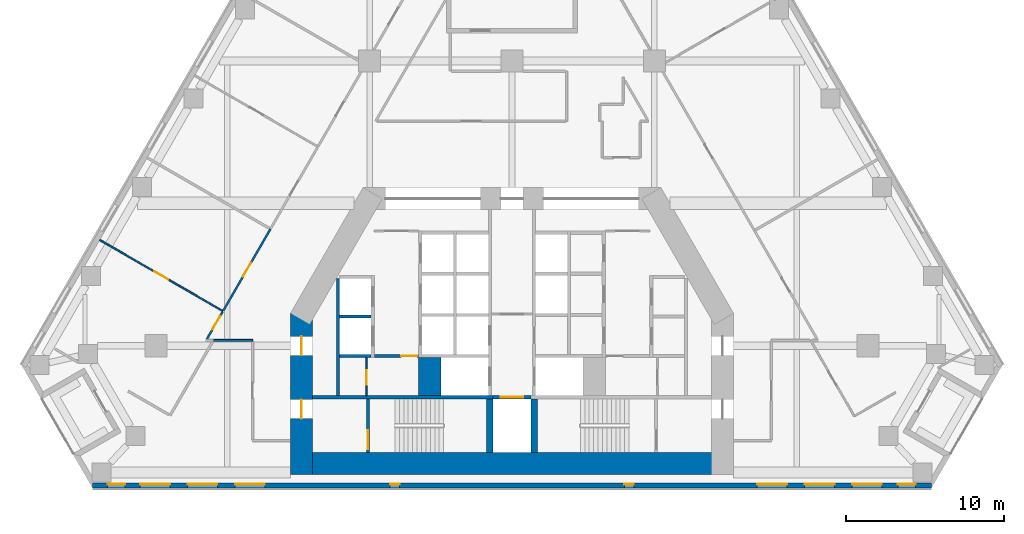
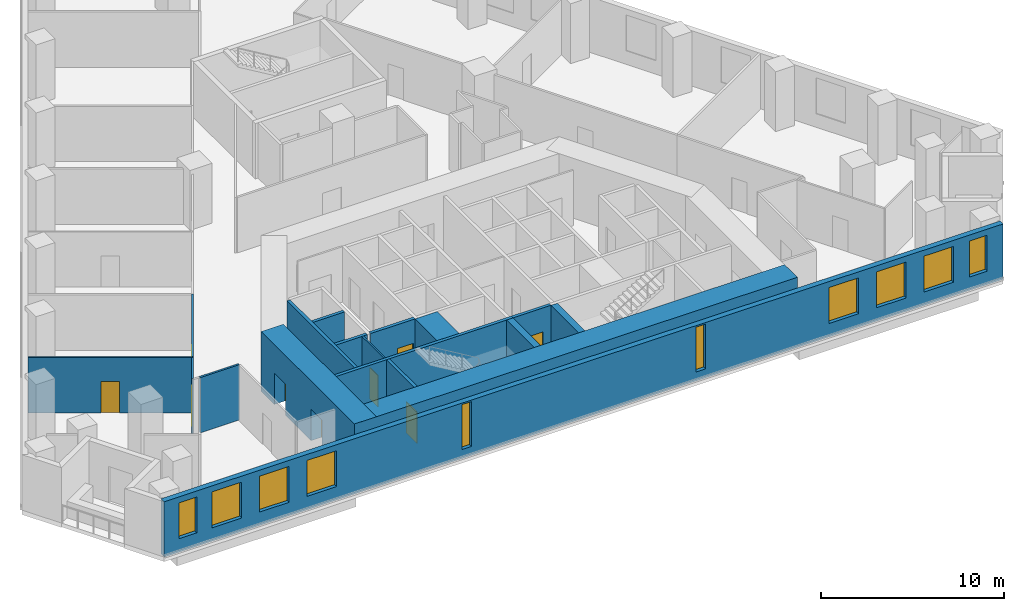
# One storey, part 3 of 9: 18 walls, 10 windows, 9 doors, 19 openings.
"""IFC4 building model written with IfcOpenShell, lengths in metres."""

from ifc_helpers import new_model, si_unit, direction, frame, frame_2d, origin, place, context, subcontext, project, spatial, rectangle, extrude, material, layer, layer_set, type_object, element, fill, save


model = new_model("IFC4")

# Units and contexts
model_context = context("Model", 3, precision=1e-05, world=origin(), true_north=direction((0.0, 1.0)))
body_context = subcontext(model_context, "Body", "Model", "MODEL_VIEW")
ifc_project = project(units=[si_unit("LENGTHUNIT", "METRE"), si_unit("AREAUNIT", "SQUARE_METRE"), si_unit("VOLUMEUNIT", "CUBIC_METRE"), si_unit("PLANEANGLEUNIT", "RADIAN"), si_unit("MASSUNIT", "GRAM", prefix="KILO")], contexts=[model_context])

# Site, building, storey
site_placement = place(None, origin())
site = spatial("IfcSite", under=ifc_project, at=site_placement, CompositionType="ELEMENT")
building_placement = place(site_placement, origin())
building = spatial("IfcBuilding", under=site, at=building_placement, Name="Fogline Exchange Tower", CompositionType="ELEMENT")
storey_placement = place(building_placement, frame((0.0, 0.0, 80.89990234375)))
storey = spatial("IfcBuildingStorey", under=building, at=storey_placement, Name="L17", CompositionType="ELEMENT", Elevation=80.89990234375)

# Wall, opening, door
ifc_material_1 = material(Name="Blockwork partition", Category="masonry")
ifc_layer_1 = layer(ifc_material_1, 0.10009765625)
ifc_layer_set_1 = layer_set([ifc_layer_1], Name="CW10")
wall_type_1 = type_object("IfcWallType", Name="CW10", PredefinedType="PARTITIONING", material=ifc_layer_set_1)
wall_1_placement = place(storey_placement, frame((-9.199951171875, 5.85009765625, 0.0), z_axis=(0.0, 0.0, 1.0), x_axis=(0.0, 1.0, 0.0)))
wall_1 = element("IfcWall", 1, at=wall_1_placement, inside=storey, type_object=wall_type_1, Name="WC partition", PredefinedType="PARTITIONING", context=body_context, shape_type="SweptSolid", body=[
    extrude(rectangle(XDim=2.39990234375, YDim=0.10009765625, at=frame_2d((1.199951171875, 0.0))), origin(), (0.0, 0.0, 1.0), 3.7001953125),
])
opening_1_placement = place(wall_1_placement, frame((0.699951171875, 0.0, 0.0)))
opening_1 = element("IfcOpeningElement", 2, at=opening_1_placement, cuts=wall_1, Name="Opening T05-C009", PredefinedType="OPENING", context=body_context, shape_type="SweptSolid", body=[
    extrude(rectangle(XDim=0.89990234375, YDim=2.10009765625, at=frame_2d((0.449951171875, 1.050048828125))), frame((0.0, 0.06005859375, 0.0), z_axis=(0.0, -1.0, 0.0), x_axis=(1.0, 0.0, 0.0)), (0.0, 0.0, 1.0), 0.1201171875),
])
ifc_material_2 = material(Name="Steel and timber fire door", Category="steel")
door_type_1 = type_object("IfcDoorType", Name="D-CS1", OperationType="SINGLE_SWING_RIGHT", PredefinedType="DOOR", material=ifc_material_2)
door_1_placement = place(opening_1_placement, origin())
door_1 = element("IfcDoor", 3, at=door_1_placement, inside=storey, type_object=door_type_1, Name="Door to Cleaner's Store", OperationType="SINGLE_SWING_LEFT", OverallHeight=2.10009765625, OverallWidth=0.89990234375, PredefinedType="DOOR", context=body_context, shape_type="SweptSolid", body=[
    extrude(rectangle(XDim=0.89990234375, YDim=2.10009765625, at=frame_2d((0.449951171875, 1.050048828125))), frame((0.0, 0.02490234375, 0.0), z_axis=(0.0, -1.0, 0.0), x_axis=(1.0, 0.0, 0.0)), (0.0, 0.0, 1.0), 0.050048828125),
])
fill(opening_1, door_1)

# Walls
ifc_material_3 = material(Name="Concrete C60", Category="concrete")
ifc_layer_2 = layer(ifc_material_3, 1.39990234375)
ifc_layer_set_2 = layer_set([ifc_layer_2], Name="CW140")
wall_type_2 = type_object("IfcWallType", Name="CW140", PredefinedType="SOLIDWALL", material=ifc_layer_set_2)
wall_2_placement = place(storey_placement, frame((-5.199951171875, 5.85009765625, -0.2998046875), z_axis=(0.0, 0.0, 1.0), x_axis=(0.0, 1.0, 0.0)))
element("IfcWall", 4, at=wall_2_placement, inside=storey, type_object=wall_type_2, Name="Lift shaft block wall", PredefinedType="SOLIDWALL", context=body_context, shape_type="SweptSolid", body=[
    extrude(rectangle(XDim=2.39990234375, YDim=1.39990234375, at=frame_2d((1.199951171875, 0.0))), origin(), (0.0, 0.0, 1.0), 4.0),
])
ifc_material_4 = material(Name="Concrete C40", Category="concrete")
ifc_layer_3 = layer(ifc_material_4, 0.199951171875)
ifc_layer_set_3 = layer_set([ifc_layer_3], Name="CW20")
wall_type_3 = type_object("IfcWallType", Name="CW20", PredefinedType="SOLIDWALL", material=ifc_layer_set_3)
wall_3_placement = place(storey_placement, frame((-11.0, 5.85009765625, 0.0), z_axis=(0.0, 0.0, 1.0), x_axis=(0.0, 1.0, 0.0)))
element("IfcWall", 5, at=wall_3_placement, inside=storey, type_object=wall_type_3, Name="Service room wall", PredefinedType="SOLIDWALL", context=body_context, shape_type="SweptSolid", body=[
    extrude(rectangle(XDim=7.39990234375, YDim=0.199951171875, at=frame_2d((3.699951171875, 0.0))), origin(), (0.0, 0.0, 1.0), 3.7001953125),
])

# Wall, opening, door
wall_4_placement = place(storey_placement, frame((-8.699951171875, 8.35009765625, 0.0), z_axis=(0.0, 0.0, 1.0), x_axis=(1.0, 0.0, 0.0)))
wall_4 = element("IfcWall", 6, at=wall_4_placement, inside=storey, type_object=wall_type_3, Name="WC wall", PredefinedType="SOLIDWALL", context=body_context, shape_type="SweptSolid", body=[
    extrude(rectangle(XDim=2.800048828125, YDim=0.199951171875, at=frame_2d((1.39990234375, 0.0))), origin(), (0.0, 0.0, 1.0), 3.7001953125),
])
opening_2_placement = place(wall_4_placement, frame((1.699951171875, 0.0, 0.0)))
opening_2 = element("IfcOpeningElement", 7, at=opening_2_placement, cuts=wall_4, Name="Opening T05-C008", PredefinedType="OPENING", context=body_context, shape_type="SweptSolid", body=[
    extrude(rectangle(XDim=1.0, YDim=2.10009765625, at=frame_2d((0.5, 1.050048828125))), frame((0.0, 0.10986328125, 0.0), z_axis=(0.0, -1.0, 0.0), x_axis=(1.0, 0.0, 0.0)), (0.0, 0.0, 1.0), 0.219970703125),
])
door_type_2 = type_object("IfcDoorType", Name="D-WC1", OperationType="SINGLE_SWING_LEFT", PredefinedType="DOOR", material=ifc_material_2)
door_2_placement = place(opening_2_placement, frame((1.0, 0.0, 0.0), z_axis=(0.0, 0.0, 1.0), x_axis=(-1.0, 0.0, 0.0)))
door_2 = element("IfcDoor", 8, at=door_2_placement, inside=storey, type_object=door_type_2, Name="Door to Men's WC", OperationType="SINGLE_SWING_LEFT", OverallHeight=2.10009765625, OverallWidth=1.0, PredefinedType="DOOR", context=body_context, shape_type="SweptSolid", body=[
    extrude(rectangle(XDim=1.0, YDim=2.10009765625, at=frame_2d((0.5, 1.050048828125))), frame((0.0, 0.02490234375, 0.0), z_axis=(0.0, -1.0, 0.0), x_axis=(1.0, 0.0, 0.0)), (0.0, 0.0, 1.0), 0.050048828125),
])
fill(opening_2, door_2)

# Wall
ifc_layer_4 = layer(ifc_material_4, 0.199951171875)
ifc_layer_set_4 = layer_set([ifc_layer_4], Name="CW20R")
wall_type_4 = type_object("IfcWallType", Name="CW20R", PredefinedType="SOLIDWALL", material=ifc_layer_set_4)
wall_5_placement = place(storey_placement, frame((-12.60009765625, 5.75, -0.2998046875), z_axis=(0.0, 0.0, 1.0), x_axis=(1.0, 0.0, 0.0)))
element("IfcWall", 9, at=wall_5_placement, inside=storey, type_object=wall_type_4, Name="Stair enclosure wall", PredefinedType="SOLIDWALL", context=body_context, shape_type="SweptSolid", body=[
    extrude(rectangle(XDim=11.400146484375, YDim=0.199951171875, at=frame_2d((5.7001953125, 0.0))), origin(), (0.0, 0.0, 1.0), 4.0),
])

# Wall, opening, door
wall_6_placement = place(storey_placement, frame((-1.199951171875, 5.75, -0.2998046875), z_axis=(0.0, 0.0, 1.0), x_axis=(1.0, 0.0, 0.0)))
wall_6 = element("IfcWall", 10, at=wall_6_placement, inside=storey, type_object=wall_type_4, Name="Stair enclosure wall", PredefinedType="SOLIDWALL", context=body_context, shape_type="SweptSolid", body=[
    extrude(rectangle(XDim=2.39990234375, YDim=0.199951171875, at=frame_2d((1.199951171875, 0.0))), origin(), (0.0, 0.0, 1.0), 4.0),
])
opening_3_placement = place(wall_6_placement, frame((0.5, 0.0, 0.300048828125)))
opening_3 = element("IfcOpeningElement", 11, at=opening_3_placement, cuts=wall_6, Name="Opening T05-LD09", PredefinedType="OPENING", context=body_context, shape_type="SweptSolid", body=[
    extrude(rectangle(XDim=1.39990234375, YDim=2.10009765625, at=frame_2d((0.699951171875, 1.050048828125))), frame((0.0, 0.10986328125, 0.0), z_axis=(0.0, -1.0, 0.0), x_axis=(1.0, 0.0, 0.0)), (0.0, 0.0, 1.0), 0.219970703125),
])
door_type_3 = type_object("IfcDoorType", Name="LD3", OperationType="SLIDING_TO_LEFT", PredefinedType="DOOR", material=ifc_material_2)
door_3_placement = place(opening_3_placement, origin())
door_3 = element("IfcDoor", 12, at=door_3_placement, inside=storey, type_object=door_type_3, Name="Landing door GL1", OperationType="SLIDING_TO_LEFT", OverallHeight=2.10009765625, OverallWidth=1.39990234375, PredefinedType="DOOR", context=body_context, shape_type="SweptSolid", body=[
    extrude(rectangle(XDim=1.39990234375, YDim=2.10009765625, at=frame_2d((0.699951171875, 1.050048828125))), frame((0.0, 0.02490234375, 0.0), z_axis=(0.0, -1.0, 0.0), x_axis=(1.0, 0.0, 0.0)), (0.0, 0.0, 1.0), 0.050048828125),
])
fill(opening_3, door_3)

wall_7_placement = place(storey_placement, frame((-9.10009765625, 2.25, -0.2998046875), z_axis=(0.0, 0.0, 1.0), x_axis=(0.0, 1.0, 0.0)))
wall_7 = element("IfcWall", 13, at=wall_7_placement, inside=storey, type_object=wall_type_4, Name="Stair enclosure wall", PredefinedType="SOLIDWALL", context=body_context, shape_type="SweptSolid", body=[
    extrude(rectangle(XDim=3.39990234375, YDim=0.199951171875, at=frame_2d((1.699951171875, 0.0))), origin(), (0.0, 0.0, 1.0), 4.0),
])
opening_4_placement = place(wall_7_placement, frame((0.199951171875, 0.0, 0.300048828125)))
opening_4 = element("IfcOpeningElement", 14, at=opening_4_placement, cuts=wall_7, Name="Opening T05-C011", PredefinedType="OPENING", context=body_context, shape_type="SweptSolid", body=[
    extrude(rectangle(XDim=1.199951171875, YDim=2.10009765625, at=frame_2d((0.60009765625, 1.050048828125))), frame((0.0, 0.10986328125, 0.0), z_axis=(0.0, -1.0, 0.0), x_axis=(1.0, 0.0, 0.0)), (0.0, 0.0, 1.0), 0.219970703125),
])
door_type_4 = type_object("IfcDoorType", Name="D-ST1", OperationType="SINGLE_SWING_LEFT", PredefinedType="DOOR", material=ifc_material_2)
door_4_placement = place(opening_4_placement, frame((1.199951171875, 0.0, 0.0), z_axis=(0.0, 0.0, 1.0), x_axis=(-1.0, 0.0, 0.0)))
door_4 = element("IfcDoor", 15, at=door_4_placement, inside=storey, type_object=door_type_4, Name="Stair door ST1", OperationType="SINGLE_SWING_RIGHT", OverallHeight=2.10009765625, OverallWidth=1.199951171875, PredefinedType="DOOR", context=body_context, shape_type="SweptSolid", body=[
    extrude(rectangle(XDim=1.199951171875, YDim=2.10009765625, at=frame_2d((0.60009765625, 1.050048828125))), frame((0.0, 0.02490234375, 0.0), z_axis=(0.0, -1.0, 0.0), x_axis=(1.0, 0.0, 0.0)), (0.0, 0.0, 1.0), 0.050048828125),
])
fill(opening_4, door_4)

# Walls
ifc_layer_5 = layer(ifc_material_4, 0.199951171875)
ifc_layer_set_5 = layer_set([ifc_layer_5], Name="CW20S")
wall_type_5 = type_object("IfcWallType", Name="CW20S", PredefinedType="SOLIDWALL", material=ifc_layer_set_5)
for number, where, z_axis, x_axis, name in (
    (16, (-10.89990234375, 8.35009765625, -0.2998046875), (0.0, 0.0, 1.0), (1.0, 0.0, 0.0), "Lift shaft wall"),
    (17, (-10.89990234375, 10.85009765625, -0.2998046875), (0.0, 0.0, 1.0), (1.0, 0.0, 0.0), "Lift shaft wall"),
):
    element("IfcWall", number, at=place(storey_placement, frame(where, z_axis=z_axis, x_axis=x_axis)), inside=storey, type_object=wall_type_5, Name=name, PredefinedType="SOLIDWALL", context=body_context, shape_type="SweptSolid", body=[
        extrude(rectangle(XDim=2.0, YDim=0.199951171875, at=frame_2d((1.0, 0.0))), origin(), (0.0, 0.0, 1.0), 4.0),
    ])
ifc_layer_6 = layer(ifc_material_4, 0.39990234375)
ifc_layer_set_6 = layer_set([ifc_layer_6], Name="CW40R")
wall_type_6 = type_object("IfcWallType", Name="CW40R", PredefinedType="SOLIDWALL", material=ifc_layer_set_6)
for number, where, z_axis, x_axis, name in (
    (18, (-1.39990234375, 2.25, -0.2998046875), (0.0, 0.0, 1.0), (0.0, 1.0, 0.0), "Stair and lift shaft wall"),
    (19, (1.39990234375, 2.25, -0.2998046875), (0.0, 0.0, 1.0), (0.0, 1.0, 0.0), "Stair and lift shaft wall"),
):
    element("IfcWall", number, at=place(storey_placement, frame(where, z_axis=z_axis, x_axis=x_axis)), inside=storey, type_object=wall_type_6, Name=name, PredefinedType="SOLIDWALL", context=body_context, shape_type="SweptSolid", body=[
        extrude(rectangle(XDim=3.39990234375, YDim=0.39990234375, at=frame_2d((1.699951171875, 0.0))), origin(), (0.0, 0.0, 1.0), 4.0),
    ])

# Wall, openings, windows
ifc_material_5 = material(Name="Brick masonry", Category="masonry")
ifc_layer_7 = layer(ifc_material_5, 0.340087890625)
ifc_layer_set_7 = layer_set([ifc_layer_7], Name="FW1")
wall_type_7 = type_object("IfcWallType", Name="FW1", PredefinedType="SOLIDWALL", material=ifc_layer_set_7)
wall_8_placement = place(storey_placement, frame((-26.510498046875, 0.169921875, 0.0), z_axis=(0.0, 0.0, 1.0), x_axis=(1.0, 0.0, 0.0)))
wall_8 = element("IfcWall", 20, at=wall_8_placement, inside=storey, type_object=wall_type_7, Name="Brick wall L17 S", PredefinedType="SOLIDWALL", context=body_context, shape_type="SweptSolid", body=[
    extrude(rectangle(XDim=53.02099609375, YDim=0.340087890625, at=frame_2d((26.510498046875, 0.0))), origin(), (0.0, 0.0, 1.0), 3.7001953125),
])
opening_5_placement = place(wall_8_placement, frame((3.010498046875, 0.0, 0.89990234375)))
opening_5 = element("IfcOpeningElement", 21, at=opening_5_placement, cuts=wall_8, Name="Opening W1", PredefinedType="OPENING", context=body_context, shape_type="SweptSolid", body=[
    extrude(rectangle(XDim=1.885009765625, YDim=2.39990234375, at=frame_2d((0.9423828125, 1.199951171875))), frame((0.0, 0.18017578125, 0.0), z_axis=(0.0, -1.0, 0.0), x_axis=(1.0, 0.0, 0.0)), (0.0, 0.0, 1.0), 0.360107421875),
])
opening_6_placement = place(wall_8_placement, frame((6.010498046875, 0.0, 0.89990234375)))
opening_6 = element("IfcOpeningElement", 22, at=opening_6_placement, cuts=wall_8, Name="Opening W1", PredefinedType="OPENING", context=body_context, shape_type="SweptSolid", body=[
    extrude(rectangle(XDim=1.885009765625, YDim=2.39990234375, at=frame_2d((0.9423828125, 1.199951171875))), frame((0.0, 0.18017578125, 0.0), z_axis=(0.0, -1.0, 0.0), x_axis=(1.0, 0.0, 0.0)), (0.0, 0.0, 1.0), 0.360107421875),
])
opening_7_placement = place(wall_8_placement, frame((9.010498046875, 0.0, 0.89990234375)))
opening_7 = element("IfcOpeningElement", 23, at=opening_7_placement, cuts=wall_8, Name="Opening W1", PredefinedType="OPENING", context=body_context, shape_type="SweptSolid", body=[
    extrude(rectangle(XDim=1.885009765625, YDim=2.39990234375, at=frame_2d((0.9423828125, 1.199951171875))), frame((0.0, 0.18017578125, 0.0), z_axis=(0.0, -1.0, 0.0), x_axis=(1.0, 0.0, 0.0)), (0.0, 0.0, 1.0), 0.360107421875),
])
opening_8_placement = place(wall_8_placement, frame((42.010498046875, 0.0, 0.89990234375)))
opening_8 = element("IfcOpeningElement", 24, at=opening_8_placement, cuts=wall_8, Name="Opening W1", PredefinedType="OPENING", context=body_context, shape_type="SweptSolid", body=[
    extrude(rectangle(XDim=1.885009765625, YDim=2.39990234375, at=frame_2d((0.9423828125, 1.199951171875))), frame((0.0, 0.18017578125, 0.0), z_axis=(0.0, -1.0, 0.0), x_axis=(1.0, 0.0, 0.0)), (0.0, 0.0, 1.0), 0.360107421875),
])
opening_9_placement = place(wall_8_placement, frame((45.010498046875, 0.0, 0.89990234375)))
opening_9 = element("IfcOpeningElement", 25, at=opening_9_placement, cuts=wall_8, Name="Opening W1", PredefinedType="OPENING", context=body_context, shape_type="SweptSolid", body=[
    extrude(rectangle(XDim=1.885009765625, YDim=2.39990234375, at=frame_2d((0.9423828125, 1.199951171875))), frame((0.0, 0.18017578125, 0.0), z_axis=(0.0, -1.0, 0.0), x_axis=(1.0, 0.0, 0.0)), (0.0, 0.0, 1.0), 0.360107421875),
])
opening_10_placement = place(wall_8_placement, frame((48.010498046875, 0.0, 0.89990234375)))
opening_10 = element("IfcOpeningElement", 26, at=opening_10_placement, cuts=wall_8, Name="Opening W1", PredefinedType="OPENING", context=body_context, shape_type="SweptSolid", body=[
    extrude(rectangle(XDim=1.885009765625, YDim=2.39990234375, at=frame_2d((0.9423828125, 1.199951171875))), frame((0.0, 0.18017578125, 0.0), z_axis=(0.0, -1.0, 0.0), x_axis=(1.0, 0.0, 0.0)), (0.0, 0.0, 1.0), 0.360107421875),
])
opening_11_placement = place(wall_8_placement, frame((0.94775390625, 0.0, 0.89990234375)))
opening_11 = element("IfcOpeningElement", 27, at=opening_11_placement, cuts=wall_8, Name="Opening W4", PredefinedType="OPENING", context=body_context, shape_type="SweptSolid", body=[
    extrude(rectangle(XDim=1.114990234375, YDim=2.39990234375, at=frame_2d((0.5576171875, 1.199951171875))), frame((0.0, 0.18017578125, 0.0), z_axis=(0.0, -1.0, 0.0), x_axis=(1.0, 0.0, 0.0)), (0.0, 0.0, 1.0), 0.360107421875),
])
opening_12_placement = place(wall_8_placement, frame((50.900634765625, 0.0, 0.89990234375)))
opening_12 = element("IfcOpeningElement", 28, at=opening_12_placement, cuts=wall_8, Name="Opening W4", PredefinedType="OPENING", context=body_context, shape_type="SweptSolid", body=[
    extrude(rectangle(XDim=1.114990234375, YDim=2.39990234375, at=frame_2d((0.5576171875, 1.199951171875))), frame((0.0, 0.18017578125, 0.0), z_axis=(0.0, -1.0, 0.0), x_axis=(1.0, 0.0, 0.0)), (0.0, 0.0, 1.0), 0.360107421875),
])
opening_13_placement = place(wall_8_placement, frame((18.810546875, 0.0, 0.60009765625)))
opening_13 = element("IfcOpeningElement", 29, at=opening_13_placement, cuts=wall_8, Name="Opening W5", PredefinedType="OPENING", context=body_context, shape_type="SweptSolid", body=[
    extrude(rectangle(XDim=0.60009765625, YDim=3.0, at=frame_2d((0.300048828125, 1.5))), frame((0.0, 0.18017578125, 0.0), z_axis=(0.0, -1.0, 0.0), x_axis=(1.0, 0.0, 0.0)), (0.0, 0.0, 1.0), 0.360107421875),
])
opening_14_placement = place(wall_8_placement, frame((33.6103515625, 0.0, 0.60009765625)))
opening_14 = element("IfcOpeningElement", 30, at=opening_14_placement, cuts=wall_8, Name="Opening W5", PredefinedType="OPENING", context=body_context, shape_type="SweptSolid", body=[
    extrude(rectangle(XDim=0.60009765625, YDim=3.0, at=frame_2d((0.300048828125, 1.5))), frame((0.0, 0.18017578125, 0.0), z_axis=(0.0, -1.0, 0.0), x_axis=(1.0, 0.0, 0.0)), (0.0, 0.0, 1.0), 0.360107421875),
])
ifc_material_6 = material(Name="Aluminium and glass", Category="aluminium")
window_type_1 = type_object("IfcWindowType", Name="W1", PartitioningType="SINGLE_PANEL", PredefinedType="WINDOW", material=ifc_material_6)
window_1_placement = place(opening_5_placement, origin())
window_1 = element("IfcWindow", 31, at=window_1_placement, inside=storey, type_object=window_type_1, Name="W1 W1", OverallHeight=2.39990234375, OverallWidth=1.885009765625, PartitioningType="SINGLE_PANEL", PredefinedType="WINDOW", context=body_context, shape_type="SweptSolid", body=[
    extrude(rectangle(XDim=1.885009765625, YDim=2.39990234375, at=frame_2d((0.9423828125, 1.199951171875))), frame((0.0, 0.110107421875, 0.0), z_axis=(0.0, -1.0, 0.0), x_axis=(1.0, 0.0, 0.0)), (0.0, 0.0, 1.0), 0.06005859375),
])
fill(opening_5, window_1)
window_2_placement = place(opening_6_placement, origin())
window_2 = element("IfcWindow", 32, at=window_2_placement, inside=storey, type_object=window_type_1, Name="W1 W1", OverallHeight=2.39990234375, OverallWidth=1.885009765625, PartitioningType="SINGLE_PANEL", PredefinedType="WINDOW", context=body_context, shape_type="SweptSolid", body=[
    extrude(rectangle(XDim=1.885009765625, YDim=2.39990234375, at=frame_2d((0.9423828125, 1.199951171875))), frame((0.0, 0.110107421875, 0.0), z_axis=(0.0, -1.0, 0.0), x_axis=(1.0, 0.0, 0.0)), (0.0, 0.0, 1.0), 0.06005859375),
])
fill(opening_6, window_2)
window_3_placement = place(opening_7_placement, origin())
window_3 = element("IfcWindow", 33, at=window_3_placement, inside=storey, type_object=window_type_1, Name="W1 W1", OverallHeight=2.39990234375, OverallWidth=1.885009765625, PartitioningType="SINGLE_PANEL", PredefinedType="WINDOW", context=body_context, shape_type="SweptSolid", body=[
    extrude(rectangle(XDim=1.885009765625, YDim=2.39990234375, at=frame_2d((0.9423828125, 1.199951171875))), frame((0.0, 0.110107421875, 0.0), z_axis=(0.0, -1.0, 0.0), x_axis=(1.0, 0.0, 0.0)), (0.0, 0.0, 1.0), 0.06005859375),
])
fill(opening_7, window_3)
window_4_placement = place(opening_8_placement, origin())
window_4 = element("IfcWindow", 34, at=window_4_placement, inside=storey, type_object=window_type_1, Name="W1 W1", OverallHeight=2.39990234375, OverallWidth=1.885009765625, PartitioningType="SINGLE_PANEL", PredefinedType="WINDOW", context=body_context, shape_type="SweptSolid", body=[
    extrude(rectangle(XDim=1.885009765625, YDim=2.39990234375, at=frame_2d((0.9423828125, 1.199951171875))), frame((0.0, 0.110107421875, 0.0), z_axis=(0.0, -1.0, 0.0), x_axis=(1.0, 0.0, 0.0)), (0.0, 0.0, 1.0), 0.06005859375),
])
fill(opening_8, window_4)
window_5_placement = place(opening_9_placement, origin())
window_5 = element("IfcWindow", 35, at=window_5_placement, inside=storey, type_object=window_type_1, Name="W1 W1", OverallHeight=2.39990234375, OverallWidth=1.885009765625, PartitioningType="SINGLE_PANEL", PredefinedType="WINDOW", context=body_context, shape_type="SweptSolid", body=[
    extrude(rectangle(XDim=1.885009765625, YDim=2.39990234375, at=frame_2d((0.9423828125, 1.199951171875))), frame((0.0, 0.110107421875, 0.0), z_axis=(0.0, -1.0, 0.0), x_axis=(1.0, 0.0, 0.0)), (0.0, 0.0, 1.0), 0.06005859375),
])
fill(opening_9, window_5)
window_6_placement = place(opening_10_placement, origin())
window_6 = element("IfcWindow", 36, at=window_6_placement, inside=storey, type_object=window_type_1, Name="W1 W1", OverallHeight=2.39990234375, OverallWidth=1.885009765625, PartitioningType="SINGLE_PANEL", PredefinedType="WINDOW", context=body_context, shape_type="SweptSolid", body=[
    extrude(rectangle(XDim=1.885009765625, YDim=2.39990234375, at=frame_2d((0.9423828125, 1.199951171875))), frame((0.0, 0.110107421875, 0.0), z_axis=(0.0, -1.0, 0.0), x_axis=(1.0, 0.0, 0.0)), (0.0, 0.0, 1.0), 0.06005859375),
])
fill(opening_10, window_6)
window_type_2 = type_object("IfcWindowType", Name="W4", PartitioningType="SINGLE_PANEL", PredefinedType="WINDOW", material=ifc_material_6)
window_7_placement = place(opening_11_placement, origin())
window_7 = element("IfcWindow", 37, at=window_7_placement, inside=storey, type_object=window_type_2, Name="W4 W4", OverallHeight=2.39990234375, OverallWidth=1.114990234375, PartitioningType="SINGLE_PANEL", PredefinedType="WINDOW", context=body_context, shape_type="SweptSolid", body=[
    extrude(rectangle(XDim=1.114990234375, YDim=2.39990234375, at=frame_2d((0.5576171875, 1.199951171875))), frame((0.0, 0.110107421875, 0.0), z_axis=(0.0, -1.0, 0.0), x_axis=(1.0, 0.0, 0.0)), (0.0, 0.0, 1.0), 0.06005859375),
])
fill(opening_11, window_7)
window_8_placement = place(opening_12_placement, origin())
window_8 = element("IfcWindow", 38, at=window_8_placement, inside=storey, type_object=window_type_2, Name="W4 W4", OverallHeight=2.39990234375, OverallWidth=1.114990234375, PartitioningType="SINGLE_PANEL", PredefinedType="WINDOW", context=body_context, shape_type="SweptSolid", body=[
    extrude(rectangle(XDim=1.114990234375, YDim=2.39990234375, at=frame_2d((0.5576171875, 1.199951171875))), frame((0.0, 0.110107421875, 0.0), z_axis=(0.0, -1.0, 0.0), x_axis=(1.0, 0.0, 0.0)), (0.0, 0.0, 1.0), 0.06005859375),
])
fill(opening_12, window_8)
window_type_3 = type_object("IfcWindowType", Name="W5", PartitioningType="SINGLE_PANEL", PredefinedType="WINDOW", material=ifc_material_6)
window_9_placement = place(opening_13_placement, origin())
window_9 = element("IfcWindow", 39, at=window_9_placement, inside=storey, type_object=window_type_3, Name="W5 W5", OverallHeight=3.0, OverallWidth=0.60009765625, PartitioningType="SINGLE_PANEL", PredefinedType="WINDOW", context=body_context, shape_type="SweptSolid", body=[
    extrude(rectangle(XDim=0.60009765625, YDim=3.0, at=frame_2d((0.300048828125, 1.5))), frame((0.0, 0.110107421875, 0.0), z_axis=(0.0, -1.0, 0.0), x_axis=(1.0, 0.0, 0.0)), (0.0, 0.0, 1.0), 0.06005859375),
])
fill(opening_13, window_9)
window_10_placement = place(opening_14_placement, origin())
window_10 = element("IfcWindow", 40, at=window_10_placement, inside=storey, type_object=window_type_3, Name="W5 W5", OverallHeight=3.0, OverallWidth=0.60009765625, PartitioningType="SINGLE_PANEL", PredefinedType="WINDOW", context=body_context, shape_type="SweptSolid", body=[
    extrude(rectangle(XDim=0.60009765625, YDim=3.0, at=frame_2d((0.300048828125, 1.5))), frame((0.0, 0.110107421875, 0.0), z_axis=(0.0, -1.0, 0.0), x_axis=(1.0, 0.0, 0.0)), (0.0, 0.0, 1.0), 0.06005859375),
])
fill(opening_14, window_10)

# Wall, opening, door
ifc_material_7 = material(Name="Plasterboard partition, 2 layers each side on steel studs", Category="steel")
ifc_layer_8 = layer(ifc_material_7, 0.10009765625)
ifc_layer_set_8 = layer_set([ifc_layer_8], Name="PW1")
wall_type_8 = type_object("IfcWallType", Name="PW1", PredefinedType="PARTITIONING", material=ifc_layer_set_8)
wall_9_placement = place(storey_placement, frame((-18.265380859375, 11.189208984375, 0.0), z_axis=(0.0, 0.0, 1.0), x_axis=(-0.866024315419, 0.5000018851, 0.0)))
wall_9 = element("IfcWall", 41, at=wall_9_placement, inside=storey, type_object=wall_type_8, Name="wall-L17-W046", PredefinedType="PARTITIONING", context=body_context, shape_type="SweptSolid", body=[
    extrude(rectangle(XDim=9.0, YDim=0.10009765625, at=frame_2d((4.5, 0.0))), origin(), (0.0, 0.0, 1.0), 3.7001953125),
])
opening_15_placement = place(wall_9_placement, frame((4.0, 0.0, 0.0)))
opening_15 = element("IfcOpeningElement", 42, at=opening_15_placement, cuts=wall_9, Name="Opening T05-D018", PredefinedType="OPENING", context=body_context, shape_type="SweptSolid", body=[
    extrude(rectangle(XDim=1.0, YDim=2.10009765625, at=frame_2d((0.5, 1.050048828125))), frame((0.0, 0.06005859375, 0.0), z_axis=(0.0, -1.0, 0.0), x_axis=(1.0, 0.0, 0.0)), (0.0, 0.0, 1.0), 0.1201171875),
])
ifc_material_8 = material(Name="Timber door leaf with steel frame", Category="steel")
door_type_5 = type_object("IfcDoorType", Name="D1", OperationType="SINGLE_SWING_LEFT", PredefinedType="DOOR", material=ifc_material_8)
door_5_placement = place(opening_15_placement, frame((1.0, 0.0, 0.0), z_axis=(0.0, 0.0, 1.0), x_axis=(-1.0, 0.0, 0.0)))
door_5 = element("IfcDoor", 43, at=door_5_placement, inside=storey, type_object=door_type_5, Name="door-L17-D018", OperationType="SINGLE_SWING_RIGHT", OverallHeight=2.10009765625, OverallWidth=1.0, PredefinedType="DOOR", context=body_context, shape_type="SweptSolid", body=[
    extrude(rectangle(XDim=1.0, YDim=2.10009765625, at=frame_2d((0.5, 1.050048828125))), frame((0.0, 0.02490234375, 0.0), z_axis=(0.0, -1.0, 0.0), x_axis=(1.0, 0.0, 0.0)), (0.0, 0.0, 1.0), 0.050048828125),
])
fill(opening_15, door_5)

ifc_material_9 = material(Name="Plasterboard corridor partition with mineral wool, 2 layers each side")
ifc_layer_9 = layer(ifc_material_9, 0.125)
ifc_layer_set_9 = layer_set([ifc_layer_9], Name="PW2")
wall_type_9 = type_object("IfcWallType", Name="PW2", PredefinedType="PARTITIONING", material=ifc_layer_set_9)
wall_10_placement = place(storey_placement, frame((-18.239990234375, 11.23291015625, 0.0), z_axis=(0.0, 0.0, 1.0), x_axis=(0.499969918061, 0.866042770903, 0.0)))
wall_10 = element("IfcWall", 44, at=wall_10_placement, inside=storey, type_object=wall_type_9, Name="wall-L17-W015", PredefinedType="PARTITIONING", context=body_context, shape_type="SweptSolid", body=[
    extrude(rectangle(XDim=5.949462890625, YDim=0.125, at=frame_2d((2.974609375, 0.0))), origin(), (0.0, 0.0, 1.0), 3.7001953125),
])
opening_16_placement = place(wall_10_placement, frame((2.474609375, 0.0, 0.0)))
opening_16 = element("IfcOpeningElement", 45, at=opening_16_placement, cuts=wall_10, Name="Opening T05-D009", PredefinedType="OPENING", context=body_context, shape_type="SweptSolid", body=[
    extrude(rectangle(XDim=1.0, YDim=2.10009765625, at=frame_2d((0.5, 1.050048828125))), frame((0.0, 0.072509765625, 0.0), z_axis=(0.0, -1.0, 0.0), x_axis=(1.0, 0.0, 0.0)), (0.0, 0.0, 1.0), 0.14501953125),
])
ifc_material_10 = material(Name="Fire-rated timber door leaf with steel frame", Category="steel")
door_type_6 = type_object("IfcDoorType", Name="D3", OperationType="SINGLE_SWING_LEFT", PredefinedType="DOOR", material=ifc_material_10)
door_6_placement = place(opening_16_placement, origin())
door_6 = element("IfcDoor", 46, at=door_6_placement, inside=storey, type_object=door_type_6, Name="door-L17-D009", OperationType="SINGLE_SWING_LEFT", OverallHeight=2.10009765625, OverallWidth=1.0, PredefinedType="DOOR", context=body_context, shape_type="SweptSolid", body=[
    extrude(rectangle(XDim=1.0, YDim=2.10009765625, at=frame_2d((0.5, 1.050048828125))), frame((0.0, 0.02490234375, 0.0), z_axis=(0.0, -1.0, 0.0), x_axis=(1.0, 0.0, 0.0)), (0.0, 0.0, 1.0), 0.050048828125),
])
fill(opening_16, door_6)

wall_11_placement = place(storey_placement, frame((-19.27880859375, 9.43408203125, 0.0), z_axis=(0.0, 0.0, 1.0), x_axis=(0.499979116088, 0.866037460781, 0.0)))
wall_11 = element("IfcWall", 47, at=wall_11_placement, inside=storey, type_object=wall_type_9, Name="wall-L17-W017", PredefinedType="PARTITIONING", context=body_context, shape_type="SweptSolid", body=[
    extrude(rectangle(XDim=1.97607421875, YDim=0.125, at=frame_2d((0.988037109375, 0.0))), origin(), (0.0, 0.0, 1.0), 3.7001953125),
])
opening_17_placement = place(wall_11_placement, frame((0.682861328125, 0.0, 0.0)))
opening_17 = element("IfcOpeningElement", 48, at=opening_17_placement, cuts=wall_11, Name="Opening T05-D010", PredefinedType="OPENING", context=body_context, shape_type="SweptSolid", body=[
    extrude(rectangle(XDim=1.0, YDim=2.10009765625, at=frame_2d((0.5, 1.050048828125))), frame((0.0, 0.072509765625, 0.0), z_axis=(0.0, -1.0, 0.0), x_axis=(1.0, 0.0, 0.0)), (0.0, 0.0, 1.0), 0.14501953125),
])
door_7_placement = place(opening_17_placement, origin())
door_7 = element("IfcDoor", 49, at=door_7_placement, inside=storey, type_object=door_type_6, Name="door-L17-D010", OperationType="SINGLE_SWING_RIGHT", OverallHeight=2.10009765625, OverallWidth=1.0, PredefinedType="DOOR", context=body_context, shape_type="SweptSolid", body=[
    extrude(rectangle(XDim=1.0, YDim=2.10009765625, at=frame_2d((0.5, 1.050048828125))), frame((0.0, 0.02490234375, 0.0), z_axis=(0.0, -1.0, 0.0), x_axis=(1.0, 0.0, 0.0)), (0.0, 0.0, 1.0), 0.050048828125),
])
fill(opening_17, door_7)

# Walls
wall_12_placement = place(storey_placement, frame((-16.39990234375, 9.340087890625, 0.0), z_axis=(0.0, 0.0, 1.0), x_axis=(-1.0, 0.0, 0.0)))
element("IfcWall", 50, at=wall_12_placement, inside=storey, type_object=wall_type_9, Name="wall-L17-W018", PredefinedType="PARTITIONING", context=body_context, shape_type="SweptSolid", body=[
    extrude(rectangle(XDim=2.47119140625, YDim=0.125, at=frame_2d((1.235595703125, 0.0))), origin(), (0.0, 0.0, 1.0), 3.7001953125),
])
ifc_layer_10 = layer(ifc_material_3, 1.39990234375)
ifc_layer_set_10 = layer_set([ifc_layer_10], Name="SW01")
wall_type_10 = type_object("IfcWallType", Name="SW01", PredefinedType="SHEAR", material=ifc_layer_set_10)
wall_13_placement = place(storey_placement, frame((-14.0, 1.550048828125, 0.0), z_axis=(0.0, 0.0, 1.0), x_axis=(1.0, 0.0, 0.0)))
element("IfcWall", 51, at=wall_13_placement, inside=storey, type_object=wall_type_10, Name="L17-W901", PredefinedType="SHEAR", context=body_context, shape_type="SweptSolid", body=[
    extrude(rectangle(XDim=28.0, YDim=1.39990234375, at=frame_2d((14.0, 0.0))), origin(), (0.0, 0.0, 1.0), 4.0),
])

# Wall, openings, doors
wall_14_placement = place(storey_placement, frame((-13.300048828125, 11.052490234375, 0.0), z_axis=(0.0, 0.0, 1.0), x_axis=(0.0, -1.0, 0.0)))
wall_14 = element("IfcWall", 52, at=wall_14_placement, inside=storey, type_object=wall_type_10, Name="L17-W906", PredefinedType="SHEAR", context=body_context, shape_type="SweptSolid", body=[
    extrude(rectangle(XDim=10.202392578125, YDim=1.39990234375, at=frame_2d((5.10107421875, 0.0))), origin(), (0.0, 0.0, 1.0), 4.0),
])
opening_18_placement = place(wall_14_placement, frame((5.45263671875, 0.0, 0.0)))
opening_18 = element("IfcOpeningElement", 53, at=opening_18_placement, cuts=wall_14, Name="Opening T05-C010", PredefinedType="OPENING", context=body_context, shape_type="SweptSolid", body=[
    extrude(rectangle(XDim=1.199951171875, YDim=2.10009765625, at=frame_2d((0.60009765625, 1.050048828125))), frame((0.0, 0.7099609375, 0.0), z_axis=(0.0, -1.0, 0.0), x_axis=(1.0, 0.0, 0.0)), (0.0, 0.0, 1.0), 1.419921875),
])
opening_19_placement = place(wall_14_placement, frame((1.45263671875, 0.0, 0.0)))
opening_19 = element("IfcOpeningElement", 54, at=opening_19_placement, cuts=wall_14, Name="Opening T05-C012", PredefinedType="OPENING", context=body_context, shape_type="SweptSolid", body=[
    extrude(rectangle(XDim=1.199951171875, YDim=2.10009765625, at=frame_2d((0.60009765625, 1.050048828125))), frame((0.0, 0.7099609375, 0.0), z_axis=(0.0, -1.0, 0.0), x_axis=(1.0, 0.0, 0.0)), (0.0, 0.0, 1.0), 1.419921875),
])
door_type_7 = type_object("IfcDoorType", Name="D-FR1", OperationType="SINGLE_SWING_RIGHT", PredefinedType="DOOR", material=ifc_material_2)
door_8_placement = place(opening_18_placement, origin())
door_8 = element("IfcDoor", 55, at=door_8_placement, inside=storey, type_object=door_type_7, Name="Front room door ST1", OperationType="SINGLE_SWING_LEFT", OverallHeight=2.10009765625, OverallWidth=1.199951171875, PredefinedType="DOOR", context=body_context, shape_type="SweptSolid", body=[
    extrude(rectangle(XDim=1.199951171875, YDim=2.10009765625, at=frame_2d((0.60009765625, 1.050048828125))), frame((0.0, 0.02490234375, 0.0), z_axis=(0.0, -1.0, 0.0), x_axis=(1.0, 0.0, 0.0)), (0.0, 0.0, 1.0), 0.050048828125),
])
fill(opening_18, door_8)
door_type_8 = type_object("IfcDoorType", Name="D-SV1", OperationType="SINGLE_SWING_LEFT", PredefinedType="DOOR", material=ifc_material_2)
door_9_placement = place(opening_19_placement, origin())
door_9 = element("IfcDoor", 56, at=door_9_placement, inside=storey, type_object=door_type_8, Name="Service door W", OperationType="SINGLE_SWING_LEFT", OverallHeight=2.10009765625, OverallWidth=1.199951171875, PredefinedType="DOOR", context=body_context, shape_type="SweptSolid", body=[
    extrude(rectangle(XDim=1.199951171875, YDim=2.10009765625, at=frame_2d((0.60009765625, 1.050048828125))), frame((0.0, 0.02490234375, 0.0), z_axis=(0.0, -1.0, 0.0), x_axis=(1.0, 0.0, 0.0)), (0.0, 0.0, 1.0), 0.050048828125),
])
fill(opening_19, door_9)

save(model, "model.ifc")
